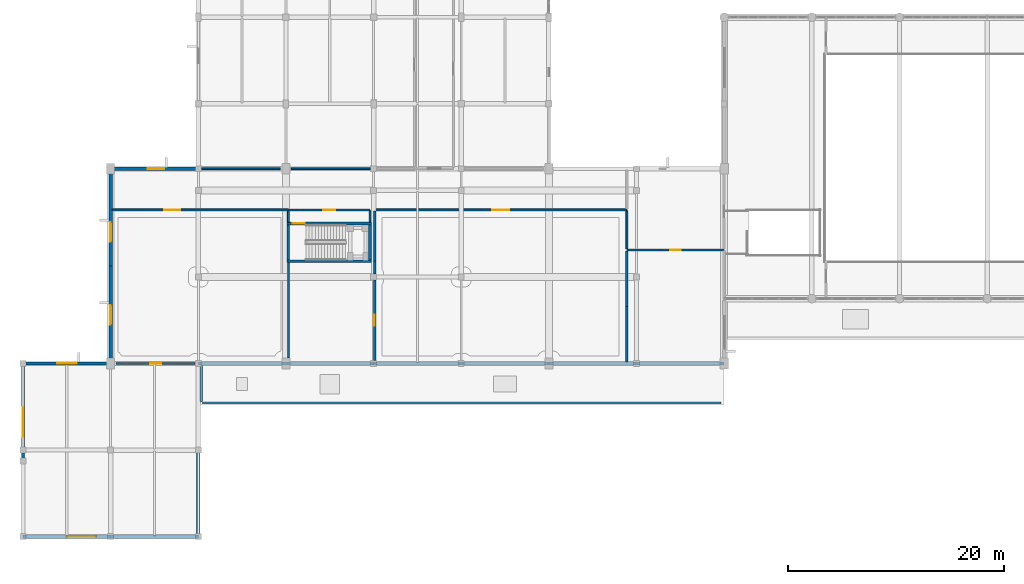
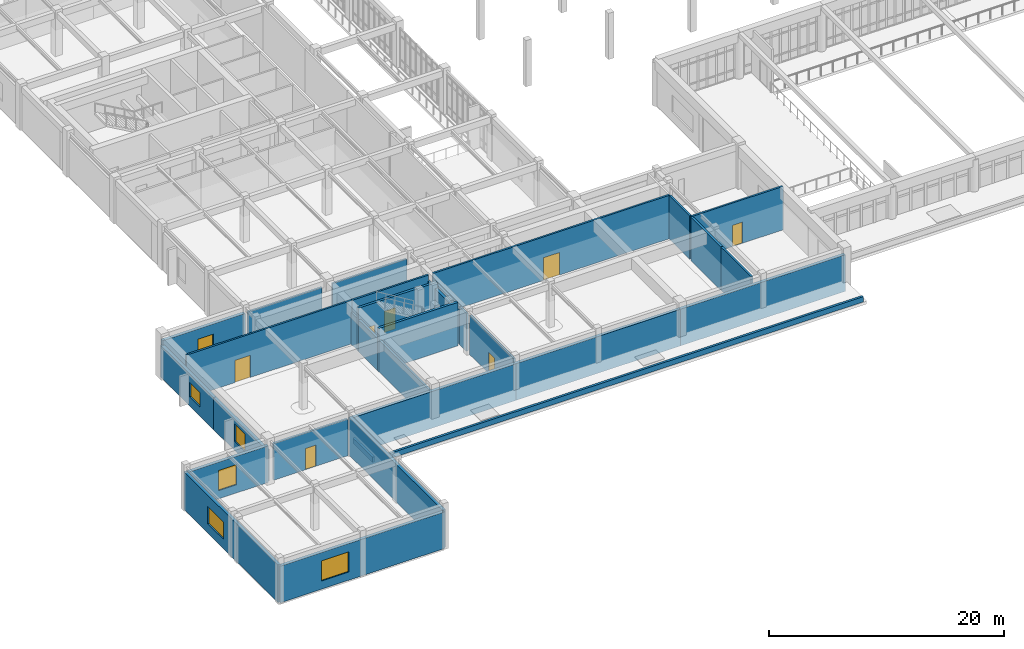
# One storey, part 42 of 61: 32 walls, 7 doors, 6 windows, 13 openings.
"""IFC4 building model written with IfcOpenShell, lengths in metres."""

from ifc_helpers import new_model, si_unit, direction, frame, frame_2d, origin, origin_with_axes, place, context, subcontext, project, spatial, rectangle, extrude, material, layer, layer_set, type_object, element, fill, save


model = new_model("IFC4")

# Units and contexts
model_context = context("Model", 3, precision=1e-05, world=origin(), true_north=direction((0.0, 1.0)))
body_context = subcontext(model_context, "Body", "Model", "MODEL_VIEW")
ifc_project = project(units=[si_unit("LENGTHUNIT", "METRE"), si_unit("AREAUNIT", "SQUARE_METRE"), si_unit("VOLUMEUNIT", "CUBIC_METRE"), si_unit("PLANEANGLEUNIT", "RADIAN"), si_unit("MASSUNIT", "GRAM", prefix="KILO")], contexts=[model_context])

# Site, building, storey
site_placement = place(None, origin())
site = spatial("IfcSite", under=ifc_project, at=site_placement, CompositionType="ELEMENT")
building_placement = place(site_placement, origin())
building = spatial("IfcBuilding", under=site, at=building_placement, Name="Tarnveldt Square Police Headquarters", CompositionType="ELEMENT")
storey_placement = place(building_placement, frame((0.0, 0.0, 5.39990234375)))
storey = spatial("IfcBuildingStorey", under=building, at=storey_placement, Name="L01", CompositionType="ELEMENT", Elevation=5.39990234375)

# Wall, opening, door
ifc_material_1 = material(Name="Fire-rated Type X gypsum board on steel studs", Category="steel")
ifc_layer_1 = layer(ifc_material_1, 0.199951171875)
ifc_layer_set_1 = layer_set([ifc_layer_1], Name="Fire-rated Type X gypsum board on steel studs")
wall_type_1 = type_object("IfcWallType", Name="WL-ACOUST-200", PredefinedType="PARTITIONING", material=ifc_layer_set_1)
wall_1_placement = place(storey_placement, frame((8.60791015625, 16.0, 0.0), z_axis=(0.0, 0.0, 1.0), x_axis=(1.0, 0.0, 0.0)))
wall_1 = element("IfcWall", 1, at=wall_1_placement, inside=storey, type_object=wall_type_1, Name="L01 Interior Partition Wall 0214", PredefinedType="PARTITIONING", context=body_context, shape_type="SweptSolid", body=[
    extrude(rectangle(XDim=7.30908203125, YDim=0.199951171875, at=frame_2d((3.654541015625, 0.0))), origin(), (0.0, 0.0, 1.0), 3.81201171875),
])
opening_1_placement = place(wall_1_placement, frame((3.154541015625, 0.0, 0.0)))
opening_1 = element("IfcOpeningElement", 2, at=opening_1_placement, cuts=wall_1, Name="Opening D05", PredefinedType="OPENING", context=body_context, shape_type="SweptSolid", body=[
    extrude(rectangle(XDim=1.0, YDim=2.199951171875, at=frame_2d((0.5, 1.10009765625))), frame((0.0, 0.10986328125, 0.0), z_axis=(0.0, -1.0, 0.0), x_axis=(1.0, 0.0, 0.0)), (0.0, 0.0, 1.0), 0.219970703125),
])
ifc_material_2 = material(Name="Solid core architectural birch door leaf", Category="wood")
door_type_1 = type_object("IfcDoorType", Name="DR-INT-1000", OperationType="NOTDEFINED", PredefinedType="DOOR", material=ifc_material_2)
door_1_placement = place(opening_1_placement, frame((1.0, 0.0, 0.0), z_axis=(0.0, 0.0, 1.0), x_axis=(-1.0, 0.0, 0.0)))
door_1 = element("IfcDoor", 3, at=door_1_placement, inside=storey, type_object=door_type_1, Name="Youth Outreach Workshop Studio Door", OperationType="SINGLE_SWING_LEFT", OverallHeight=2.199951171875, OverallWidth=1.0, PredefinedType="DOOR", context=body_context, shape_type="SweptSolid", body=[
    extrude(rectangle(XDim=1.0, YDim=2.199951171875, at=frame_2d((0.5, 1.10009765625))), frame((0.0, 0.02490234375, 0.0), z_axis=(0.0, -1.0, 0.0), x_axis=(1.0, 0.0, 0.0)), (0.0, 0.0, 1.0), 0.050048828125),
])
fill(opening_1, door_1)

# Wall
wall_2_placement = place(storey_placement, frame((24.530029296875, 16.508056640625, 0.0), z_axis=(0.0, 0.0, 1.0), x_axis=(0.0, 1.0, 0.0)))
element("IfcWall", 4, at=wall_2_placement, inside=storey, type_object=wall_type_1, Name="L01 Interior Partition Wall 0264", PredefinedType="PARTITIONING", context=body_context, shape_type="SweptSolid", body=[
    extrude(rectangle(XDim=8.823974609375, YDim=0.199951171875, at=frame_2d((4.412109375, 0.0))), origin(), (0.0, 0.0, 1.0), 3.31201171875),
])

# Wall, opening, door
wall_3_placement = place(storey_placement, frame((32.5, 16.282958984375, 0.0), z_axis=(0.0, 0.0, 1.0), x_axis=(0.0, 1.0, 0.0)))
wall_3 = element("IfcWall", 5, at=wall_3_placement, inside=storey, type_object=wall_type_1, Name="L01 Interior Partition Wall 0271", PredefinedType="PARTITIONING", context=body_context, shape_type="SweptSolid", body=[
    extrude(rectangle(XDim=7.43408203125, YDim=0.199951171875, at=frame_2d((3.717041015625, 0.0))), origin(), (0.0, 0.0, 1.0), 4.09521484375),
])
opening_2_placement = place(wall_3_placement, frame((3.217041015625, 0.0, 0.0)))
opening_2 = element("IfcOpeningElement", 6, at=opening_2_placement, cuts=wall_3, Name="Opening D05", PredefinedType="OPENING", context=body_context, shape_type="SweptSolid", body=[
    extrude(rectangle(XDim=1.0, YDim=2.199951171875, at=frame_2d((0.5, 1.10009765625))), frame((0.0, 0.10986328125, 0.0), z_axis=(0.0, -1.0, 0.0), x_axis=(1.0, 0.0, 0.0)), (0.0, 0.0, 1.0), 0.219970703125),
])
door_2_placement = place(opening_2_placement, origin())
door_2 = element("IfcDoor", 7, at=door_2_placement, inside=storey, type_object=door_type_1, Name="Broadcast Audio-Visual Control Room Door", OperationType="SINGLE_SWING_LEFT", OverallHeight=2.199951171875, OverallWidth=1.0, PredefinedType="DOOR", context=body_context, shape_type="SweptSolid", body=[
    extrude(rectangle(XDim=1.0, YDim=2.199951171875, at=frame_2d((0.5, 1.10009765625))), frame((0.0, 0.02490234375, 0.0), z_axis=(0.0, -1.0, 0.0), x_axis=(1.0, 0.0, 0.0)), (0.0, 0.0, 1.0), 0.050048828125),
])
fill(opening_2, door_2)

# Walls
wall_4_placement = place(storey_placement, frame((32.5, 24.282958984375, 0.0), z_axis=(0.0, 0.0, 1.0), x_axis=(0.0, 1.0, 0.0)))
element("IfcWall", 8, at=wall_4_placement, inside=storey, type_object=wall_type_1, Name="L01 Interior Partition Wall 0272", PredefinedType="PARTITIONING", context=body_context, shape_type="SweptSolid", body=[
    extrude(rectangle(XDim=1.177001953125, YDim=0.199951171875, at=frame_2d((0.58837890625, 0.0))), origin(), (0.0, 0.0, 1.0), 3.912109375),
])
wall_5_placement = place(storey_placement, frame((32.5, 25.4599609375, 0.0), z_axis=(0.0, 0.0, 1.0), x_axis=(0.0, 1.0, 0.0)))
element("IfcWall", 9, at=wall_5_placement, inside=storey, type_object=wall_type_1, Name="L01 Interior Partition Wall 0273", PredefinedType="PARTITIONING", context=body_context, shape_type="SweptSolid", body=[
    extrude(rectangle(XDim=4.64208984375, YDim=0.199951171875, at=frame_2d((2.321044921875, 0.0))), origin(), (0.0, 0.0, 1.0), 3.912109375),
])
for number, where, z_axis, x_axis, name in (
    (10, (55.800048828125, 16.157958984375, 0.0), (0.0, 0.0, 1.0), (0.0, 1.0, 0.0), "L01 Interior Partition Wall 0295"),
    (11, (55.800048828125, 21.280029296875, 0.0), (0.0, 0.0, 1.0), (0.0, 1.0, 0.0), "L01 Interior Partition Wall 0296"),
):
    element("IfcWall", number, at=place(storey_placement, frame(where, z_axis=z_axis, x_axis=x_axis)), inside=storey, type_object=wall_type_1, Name=name, PredefinedType="PARTITIONING", context=body_context, shape_type="SweptSolid", body=[
        extrude(rectangle(XDim=5.1220703125, YDim=0.199951171875, at=frame_2d((2.56103515625, 0.0))), origin(), (0.0, 0.0, 1.0), 4.52001953125),
    ])

# Wall, opening, window
ifc_material_3 = material(Name="Manganese ironspot clay brick masonry 20 MPa", Category="masonry")
ifc_layer_2 = layer(ifc_material_3, 0.300048828125)
ifc_layer_set_2 = layer_set([ifc_layer_2], Name="Manganese ironspot clay brick masonry 20 MPa")
wall_type_2 = type_object("IfcWallType", Name="WL-EXT-BRK300", PredefinedType="SOLIDWALL", material=ifc_layer_set_2)
wall_6_placement = place(storey_placement, frame((0.0, 16.0, 0.0), z_axis=(0.0, 0.0, 1.0), x_axis=(0.0, -1.0, 0.0)))
wall_6 = element("IfcWall", 12, at=wall_6_placement, inside=storey, type_object=wall_type_2, Name="L01 Brutalist Exterior Wall 0059", PredefinedType="SOLIDWALL", context=body_context, shape_type="SweptSolid", body=[
    extrude(rectangle(XDim=16.0, YDim=0.300048828125, at=frame_2d((8.0, 0.0))), origin(), (0.0, 0.0, 1.0), 3.912109375),
])
opening_3_placement = place(wall_6_placement, frame((4.050048828125, 0.0, 0.949951171875)))
opening_3 = element("IfcOpeningElement", 13, at=opening_3_placement, cuts=wall_6, Name="Opening W15", PredefinedType="OPENING", context=body_context, shape_type="SweptSolid", body=[
    extrude(rectangle(XDim=2.699951171875, YDim=1.800048828125, at=frame_2d((1.35009765625, 0.89990234375))), frame((0.0, 0.159912109375, 0.0), z_axis=(0.0, -1.0, 0.0), x_axis=(1.0, 0.0, 0.0)), (0.0, 0.0, 1.0), 0.320068359375),
])
ifc_material_4 = material(Name="Triple-glazed low-e laminated vision glass", Category="glass")
window_type_1 = type_object("IfcWindowType", Name="WIN-DR-270x180", PartitioningType="TRIPLE_PANEL_VERTICAL", PredefinedType="WINDOW", material=ifc_material_4)
window_1_placement = place(opening_3_placement, origin())
window_1 = element("IfcWindow", 14, at=window_1_placement, inside=storey, type_object=window_type_1, Name="L01 Deep-Reveal Brutalist Window 0015", OverallHeight=1.800048828125, OverallWidth=2.699951171875, PartitioningType="TRIPLE_PANEL_VERTICAL", PredefinedType="WINDOW", context=body_context, shape_type="SweptSolid", body=[
    extrude(rectangle(XDim=2.699951171875, YDim=1.800048828125, at=frame_2d((1.35009765625, 0.89990234375))), frame((0.0, 0.030029296875, 0.0), z_axis=(0.0, -1.0, 0.0), x_axis=(1.0, 0.0, 0.0)), (0.0, 0.0, 1.0), 0.06005859375),
])
fill(opening_3, window_1)

wall_7_placement = place(storey_placement, origin_with_axes())
wall_7 = element("IfcWall", 15, at=wall_7_placement, inside=storey, type_object=wall_type_2, Name="L01 Brutalist Exterior Wall 0060", PredefinedType="SOLIDWALL", context=body_context, shape_type="SweptSolid", body=[
    extrude(rectangle(XDim=16.199951171875, YDim=0.300048828125, at=frame_2d((8.10009765625, 0.0))), origin(), (0.0, 0.0, 1.0), 3.81201171875),
])
opening_4_placement = place(wall_7_placement, frame((4.050048828125, 0.0, 0.85009765625)))
opening_4 = element("IfcOpeningElement", 16, at=opening_4_placement, cuts=wall_7, Name="Opening W16", PredefinedType="OPENING", context=body_context, shape_type="SweptSolid", body=[
    extrude(rectangle(XDim=2.699951171875, YDim=2.10009765625, at=frame_2d((1.35009765625, 1.050048828125))), frame((0.0, 0.159912109375, 0.0), z_axis=(0.0, -1.0, 0.0), x_axis=(1.0, 0.0, 0.0)), (0.0, 0.0, 1.0), 0.320068359375),
])
window_type_2 = type_object("IfcWindowType", Name="WIN-DR-270x210", PartitioningType="TRIPLE_PANEL_VERTICAL", PredefinedType="WINDOW", material=ifc_material_4)
window_2_placement = place(opening_4_placement, origin())
window_2 = element("IfcWindow", 17, at=window_2_placement, inside=storey, type_object=window_type_2, Name="L01 Deep-Reveal Brutalist Window 0016", OverallHeight=2.10009765625, OverallWidth=2.699951171875, PartitioningType="TRIPLE_PANEL_VERTICAL", PredefinedType="WINDOW", context=body_context, shape_type="SweptSolid", body=[
    extrude(rectangle(XDim=2.699951171875, YDim=2.10009765625, at=frame_2d((1.35009765625, 1.050048828125))), frame((0.0, 0.030029296875, 0.0), z_axis=(0.0, -1.0, 0.0), x_axis=(1.0, 0.0, 0.0)), (0.0, 0.0, 1.0), 0.06005859375),
])
fill(opening_4, window_2)

# Walls
wall_8_placement = place(storey_placement, frame((16.199951171875, 0.0, 0.0), z_axis=(0.0, 0.0, 1.0), x_axis=(0.0, 1.0, 0.0)))
element("IfcWall", 18, at=wall_8_placement, inside=storey, type_object=wall_type_2, Name="L01 Brutalist Exterior Wall 0061", PredefinedType="SOLIDWALL", context=body_context, shape_type="SweptSolid", body=[
    extrude(rectangle(XDim=16.0, YDim=0.300048828125, at=frame_2d((8.0, 0.0))), origin(), (0.0, 0.0, 1.0), 3.912109375),
])
wall_9_placement = place(storey_placement, frame((16.199951171875, 16.0, 0.0), z_axis=(0.0, 0.0, 1.0), x_axis=(1.0, 0.0, 0.0)))
element("IfcWall", 19, at=wall_9_placement, inside=storey, type_object=wall_type_2, Name="L01 Brutalist Exterior Wall 0062", PredefinedType="SOLIDWALL", context=body_context, shape_type="SweptSolid", body=[
    extrude(rectangle(XDim=16.199951171875, YDim=0.300048828125, at=frame_2d((8.10009765625, 0.0))), origin(), (0.0, 0.0, 1.0), 3.81201171875),
])
wall_10_placement = place(storey_placement, frame((32.39990234375, 16.0, 0.0), z_axis=(0.0, 0.0, 1.0), x_axis=(1.0, 0.0, 0.0)))
element("IfcWall", 20, at=wall_10_placement, inside=storey, type_object=wall_type_2, Name="L01 Brutalist Exterior Wall 0063", PredefinedType="SOLIDWALL", context=body_context, shape_type="SweptSolid", body=[
    extrude(rectangle(XDim=16.2001953125, YDim=0.300048828125, at=frame_2d((8.10009765625, 0.0))), origin(), (0.0, 0.0, 1.0), 3.81201171875),
])
wall_11_placement = place(storey_placement, frame((48.60009765625, 16.0, 0.0), z_axis=(0.0, 0.0, 1.0), x_axis=(1.0, 0.0, 0.0)))
element("IfcWall", 21, at=wall_11_placement, inside=storey, type_object=wall_type_2, Name="L01 Brutalist Exterior Wall 0064", PredefinedType="SOLIDWALL", context=body_context, shape_type="SweptSolid", body=[
    extrude(rectangle(XDim=16.199951171875, YDim=0.300048828125, at=frame_2d((8.10009765625, 0.0))), origin(), (0.0, 0.0, 1.0), 3.81201171875),
])

# Wall, opening, window
wall_12_placement = place(storey_placement, frame((16.199951171875, 34.0, 0.0), z_axis=(0.0, 0.0, 1.0), x_axis=(-1.0, 0.0, 0.0)))
wall_12 = element("IfcWall", 22, at=wall_12_placement, inside=storey, type_object=wall_type_2, Name="L01 Brutalist Exterior Wall 0099", PredefinedType="SOLIDWALL", context=body_context, shape_type="SweptSolid", body=[
    extrude(rectangle(XDim=8.099853515625, YDim=0.300048828125, at=frame_2d((4.0498046875, 0.0))), origin(), (0.0, 0.0, 1.0), 3.81201171875),
])
opening_5_placement = place(wall_12_placement, frame((3.14990234375, 0.0, 0.949951171875)))
opening_5 = element("IfcOpeningElement", 23, at=opening_5_placement, cuts=wall_12, Name="Opening W07", PredefinedType="OPENING", context=body_context, shape_type="SweptSolid", body=[
    extrude(rectangle(XDim=1.5, YDim=1.800048828125, at=frame_2d((0.75, 0.89990234375))), frame((0.0, 0.159912109375, 0.0), z_axis=(0.0, -1.0, 0.0), x_axis=(1.0, 0.0, 0.0)), (0.0, 0.0, 1.0), 0.320068359375),
])
window_type_3 = type_object("IfcWindowType", Name="WIN-DR-150x180", PartitioningType="DOUBLE_PANEL_VERTICAL", PredefinedType="WINDOW", material=ifc_material_4)
window_3_placement = place(opening_5_placement, origin())
window_3 = element("IfcWindow", 24, at=window_3_placement, inside=storey, type_object=window_type_3, Name="L01 Deep-Reveal Brutalist Window 0031", OverallHeight=1.800048828125, OverallWidth=1.5, PartitioningType="DOUBLE_PANEL_VERTICAL", PredefinedType="WINDOW", context=body_context, shape_type="SweptSolid", body=[
    extrude(rectangle(XDim=1.5, YDim=1.800048828125, at=frame_2d((0.75, 0.89990234375))), frame((0.0, 0.030029296875, 0.0), z_axis=(0.0, -1.0, 0.0), x_axis=(1.0, 0.0, 0.0)), (0.0, 0.0, 1.0), 0.06005859375),
])
fill(opening_5, window_3)

wall_13_placement = place(storey_placement, frame((8.10009765625, 34.0, 0.0), z_axis=(0.0, 0.0, 1.0), x_axis=(0.0, -1.0, 0.0)))
wall_13 = element("IfcWall", 25, at=wall_13_placement, inside=storey, type_object=wall_type_2, Name="L01 Brutalist Exterior Wall 0100", PredefinedType="SOLIDWALL", context=body_context, shape_type="SweptSolid", body=[
    extrude(rectangle(XDim=9.0, YDim=0.300048828125, at=frame_2d((4.5, 0.0))), origin(), (0.0, 0.0, 1.0), 3.31201171875),
])
opening_6_placement = place(wall_13_placement, frame((4.949951171875, 0.0, 0.949951171875)))
opening_6 = element("IfcOpeningElement", 26, at=opening_6_placement, cuts=wall_13, Name="Opening W08", PredefinedType="OPENING", context=body_context, shape_type="SweptSolid", body=[
    extrude(rectangle(XDim=1.800048828125, YDim=1.5, at=frame_2d((0.89990234375, 0.75))), frame((0.0, 0.159912109375, 0.0), z_axis=(0.0, -1.0, 0.0), x_axis=(1.0, 0.0, 0.0)), (0.0, 0.0, 1.0), 0.320068359375),
])
window_type_4 = type_object("IfcWindowType", Name="WIN-DR-180x150", PartitioningType="DOUBLE_PANEL_VERTICAL", PredefinedType="WINDOW", material=ifc_material_4)
window_4_placement = place(opening_6_placement, origin())
window_4 = element("IfcWindow", 27, at=window_4_placement, inside=storey, type_object=window_type_4, Name="L01 Deep-Reveal Brutalist Window 0032", OverallHeight=1.5, OverallWidth=1.800048828125, PartitioningType="DOUBLE_PANEL_VERTICAL", PredefinedType="WINDOW", context=body_context, shape_type="SweptSolid", body=[
    extrude(rectangle(XDim=1.800048828125, YDim=1.5, at=frame_2d((0.89990234375, 0.75))), frame((0.0, 0.030029296875, 0.0), z_axis=(0.0, -1.0, 0.0), x_axis=(1.0, 0.0, 0.0)), (0.0, 0.0, 1.0), 0.06005859375),
])
fill(opening_6, window_4)

wall_14_placement = place(storey_placement, frame((8.10009765625, 25.0, 0.0), z_axis=(0.0, 0.0, 1.0), x_axis=(0.0, -1.0, 0.0)))
wall_14 = element("IfcWall", 28, at=wall_14_placement, inside=storey, type_object=wall_type_2, Name="L01 Brutalist Exterior Wall 0101", PredefinedType="SOLIDWALL", context=body_context, shape_type="SweptSolid", body=[
    extrude(rectangle(XDim=9.0, YDim=0.300048828125, at=frame_2d((4.5, 0.0))), origin(), (0.0, 0.0, 1.0), 3.31201171875),
])
opening_7_placement = place(wall_14_placement, frame((3.60009765625, 0.0, 0.949951171875)))
opening_7 = element("IfcOpeningElement", 29, at=opening_7_placement, cuts=wall_14, Name="Opening W09", PredefinedType="OPENING", context=body_context, shape_type="SweptSolid", body=[
    extrude(rectangle(XDim=1.800048828125, YDim=1.800048828125, at=frame_2d((0.89990234375, 0.89990234375))), frame((0.0, 0.159912109375, 0.0), z_axis=(0.0, -1.0, 0.0), x_axis=(1.0, 0.0, 0.0)), (0.0, 0.0, 1.0), 0.320068359375),
])
window_type_5 = type_object("IfcWindowType", Name="WIN-DR-180x180", PartitioningType="DOUBLE_PANEL_VERTICAL", PredefinedType="WINDOW", material=ifc_material_4)
window_5_placement = place(opening_7_placement, origin())
window_5 = element("IfcWindow", 30, at=window_5_placement, inside=storey, type_object=window_type_5, Name="L01 Deep-Reveal Brutalist Window 0033", OverallHeight=1.800048828125, OverallWidth=1.800048828125, PartitioningType="DOUBLE_PANEL_VERTICAL", PredefinedType="WINDOW", context=body_context, shape_type="SweptSolid", body=[
    extrude(rectangle(XDim=1.800048828125, YDim=1.800048828125, at=frame_2d((0.89990234375, 0.89990234375))), frame((0.0, 0.030029296875, 0.0), z_axis=(0.0, -1.0, 0.0), x_axis=(1.0, 0.0, 0.0)), (0.0, 0.0, 1.0), 0.06005859375),
])
fill(opening_7, window_5)

wall_15_placement = place(storey_placement, frame((8.10009765625, 16.0, 0.0), z_axis=(0.0, 0.0, 1.0), x_axis=(-1.0, 0.0, 0.0)))
wall_15 = element("IfcWall", 31, at=wall_15_placement, inside=storey, type_object=wall_type_2, Name="L01 Brutalist Exterior Wall 0102", PredefinedType="SOLIDWALL", context=body_context, shape_type="SweptSolid", body=[
    extrude(rectangle(XDim=8.10009765625, YDim=0.300048828125, at=frame_2d((4.050048828125, 0.0))), origin(), (0.0, 0.0, 1.0), 3.81201171875),
])
opening_8_placement = place(wall_15_placement, frame((3.14990234375, 0.0, 0.85009765625)))
opening_8 = element("IfcOpeningElement", 32, at=opening_8_placement, cuts=wall_15, Name="Opening W10", PredefinedType="OPENING", context=body_context, shape_type="SweptSolid", body=[
    extrude(rectangle(XDim=1.800048828125, YDim=2.10009765625, at=frame_2d((0.89990234375, 1.050048828125))), frame((0.0, 0.159912109375, 0.0), z_axis=(0.0, -1.0, 0.0), x_axis=(1.0, 0.0, 0.0)), (0.0, 0.0, 1.0), 0.320068359375),
])
window_type_6 = type_object("IfcWindowType", Name="WIN-DR-180x210", PartitioningType="DOUBLE_PANEL_VERTICAL", PredefinedType="WINDOW", material=ifc_material_4)
window_6_placement = place(opening_8_placement, origin())
window_6 = element("IfcWindow", 33, at=window_6_placement, inside=storey, type_object=window_type_6, Name="L01 Deep-Reveal Brutalist Window 0034", OverallHeight=2.10009765625, OverallWidth=1.800048828125, PartitioningType="DOUBLE_PANEL_VERTICAL", PredefinedType="WINDOW", context=body_context, shape_type="SweptSolid", body=[
    extrude(rectangle(XDim=1.800048828125, YDim=2.10009765625, at=frame_2d((0.89990234375, 1.050048828125))), frame((0.0, 0.030029296875, 0.0), z_axis=(0.0, -1.0, 0.0), x_axis=(1.0, 0.0, 0.0)), (0.0, 0.0, 1.0), 0.06005859375),
])
fill(opening_8, window_6)

# Wall, opening, door
ifc_layer_3 = layer(ifc_material_1, 0.179931640625)
ifc_layer_set_3 = layer_set([ifc_layer_3], Name="Fire-rated Type X gypsum board on steel studs")
wall_type_3 = type_object("IfcWallType", Name="WL-FIRE-180", PredefinedType="PARTITIONING", material=ifc_layer_set_3)
wall_16_placement = place(storey_placement, frame((8.258056640625, 30.199951171875, 0.0), z_axis=(0.0, 0.0, 1.0), x_axis=(1.0, 0.0, 0.0)))
wall_16 = element("IfcWall", 34, at=wall_16_placement, inside=storey, type_object=wall_type_3, Name="L01 Interior Partition Wall 0215", PredefinedType="PARTITIONING", context=body_context, shape_type="SweptSolid", body=[
    extrude(rectangle(XDim=16.27197265625, YDim=0.179931640625, at=frame_2d((8.135986328125, 0.0))), origin(), (0.0, 0.0, 1.0), 4.52001953125),
])
opening_9_placement = place(wall_16_placement, frame((4.782470703125, 0.0, 0.0)))
opening_9 = element("IfcOpeningElement", 35, at=opening_9_placement, cuts=wall_16, Name="Opening D22", PredefinedType="OPENING", context=body_context, shape_type="SweptSolid", body=[
    extrude(rectangle(XDim=1.5, YDim=2.300048828125, at=frame_2d((0.75, 1.14990234375))), frame((0.0, 0.099853515625, 0.0), z_axis=(0.0, -1.0, 0.0), x_axis=(1.0, 0.0, 0.0)), (0.0, 0.0, 1.0), 0.199951171875),
])
door_type_2 = type_object("IfcDoorType", Name="DR-PAIR-1500", OperationType="DOUBLE_DOOR_SINGLE_SWING", PredefinedType="DOOR", material=ifc_material_2)
door_3_placement = place(opening_9_placement, frame((1.5, 0.0, 0.0), z_axis=(0.0, 0.0, 1.0), x_axis=(-1.0, 0.0, 0.0)))
door_3 = element("IfcDoor", 36, at=door_3_placement, inside=storey, type_object=door_type_2, Name="Press Conference and Media Briefing Room Door", OperationType="DOUBLE_DOOR_SINGLE_SWING", OverallHeight=2.300048828125, OverallWidth=1.5, PredefinedType="DOOR", context=body_context, shape_type="SweptSolid", body=[
    extrude(rectangle(XDim=1.5, YDim=2.300048828125, at=frame_2d((0.75, 1.14990234375))), frame((0.0, 0.02490234375, 0.0), z_axis=(0.0, -1.0, 0.0), x_axis=(1.0, 0.0, 0.0)), (0.0, 0.0, 1.0), 0.050048828125),
])
fill(opening_9, door_3)

# Walls
wall_17_placement = place(storey_placement, frame((16.48291015625, 34.0, 0.0), z_axis=(0.0, 0.0, 1.0), x_axis=(1.0, 0.0, 0.0)))
element("IfcWall", 37, at=wall_17_placement, inside=storey, type_object=wall_type_3, Name="L01 Interior Partition Wall 0216", PredefinedType="PARTITIONING", context=body_context, shape_type="SweptSolid", body=[
    extrude(rectangle(XDim=7.30908203125, YDim=0.179931640625, at=frame_2d((3.654541015625, 0.0))), origin(), (0.0, 0.0, 1.0), 3.81201171875),
])
wall_18_placement = place(storey_placement, frame((24.80810546875, 34.0, 0.0), z_axis=(0.0, 0.0, 1.0), x_axis=(1.0, 0.0, 0.0)))
element("IfcWall", 38, at=wall_18_placement, inside=storey, type_object=wall_type_3, Name="L01 Interior Partition Wall 0217", PredefinedType="PARTITIONING", context=body_context, shape_type="SweptSolid", body=[
    extrude(rectangle(XDim=7.308837890625, YDim=0.179931640625, at=frame_2d((3.654296875, 0.0))), origin(), (0.0, 0.0, 1.0), 3.862060546875),
])

# Wall, opening, door
wall_19_placement = place(storey_placement, frame((24.530029296875, 30.199951171875, 0.0), z_axis=(0.0, 0.0, 1.0), x_axis=(1.0, 0.0, 0.0)))
wall_19 = element("IfcWall", 39, at=wall_19_placement, inside=storey, type_object=wall_type_3, Name="L01 Interior Partition Wall 0229", PredefinedType="PARTITIONING", context=body_context, shape_type="SweptSolid", body=[
    extrude(rectangle(XDim=7.5400390625, YDim=0.179931640625, at=frame_2d((3.77001953125, 0.0))), origin(), (0.0, 0.0, 1.0), 4.52001953125),
])
opening_10_placement = place(wall_19_placement, frame((3.219970703125, 0.0, 0.0)))
opening_10 = element("IfcOpeningElement", 40, at=opening_10_placement, cuts=wall_19, Name="Opening D15", PredefinedType="OPENING", context=body_context, shape_type="SweptSolid", body=[
    extrude(rectangle(XDim=1.10009765625, YDim=2.199951171875, at=frame_2d((0.550048828125, 1.10009765625))), frame((0.0, 0.099853515625, 0.0), z_axis=(0.0, -1.0, 0.0), x_axis=(1.0, 0.0, 0.0)), (0.0, 0.0, 1.0), 0.199951171875),
])
ifc_material_5 = material(Name="Insulated hollow metal steel door leaf", Category="steel")
door_type_3 = type_object("IfcDoorType", Name="DR-FD60-1100", OperationType="NOTDEFINED", PredefinedType="DOOR", material=ifc_material_5)
door_4_placement = place(opening_10_placement, origin())
door_4 = element("IfcDoor", 41, at=door_4_placement, inside=storey, type_object=door_type_3, Name="Exit Stair ST6 Vestibule L01 Door", OperationType="SINGLE_SWING_RIGHT", OverallHeight=2.199951171875, OverallWidth=1.10009765625, PredefinedType="DOOR", context=body_context, shape_type="SweptSolid", body=[
    extrude(rectangle(XDim=1.10009765625, YDim=2.199951171875, at=frame_2d((0.550048828125, 1.10009765625))), frame((0.0, 0.02490234375, 0.0), z_axis=(0.0, -1.0, 0.0), x_axis=(1.0, 0.0, 0.0)), (0.0, 0.0, 1.0), 0.050048828125),
])
fill(opening_10, door_4)

wall_20_placement = place(storey_placement, frame((32.5, 30.199951171875, 0.0), z_axis=(0.0, 0.0, 1.0), x_axis=(1.0, 0.0, 0.0)))
wall_20 = element("IfcWall", 42, at=wall_20_placement, inside=storey, type_object=wall_type_3, Name="L01 Interior Partition Wall 0238", PredefinedType="PARTITIONING", context=body_context, shape_type="SweptSolid", body=[
    extrude(rectangle(XDim=23.300048828125, YDim=0.179931640625, at=frame_2d((11.64990234375, 0.0))), origin(), (0.0, 0.0, 1.0), 4.52001953125),
])
opening_11_placement = place(wall_20_placement, frame((10.85009765625, 0.0, 0.0)))
opening_11 = element("IfcOpeningElement", 43, at=opening_11_placement, cuts=wall_20, Name="Opening D23", PredefinedType="OPENING", context=body_context, shape_type="SweptSolid", body=[
    extrude(rectangle(XDim=1.60009765625, YDim=2.35009765625, at=frame_2d((0.800048828125, 1.175048828125))), frame((0.0, 0.099853515625, 0.0), z_axis=(0.0, -1.0, 0.0), x_axis=(1.0, 0.0, 0.0)), (0.0, 0.0, 1.0), 0.199951171875),
])
door_type_4 = type_object("IfcDoorType", Name="DR-PAIR-1600", OperationType="DOUBLE_DOOR_SINGLE_SWING", PredefinedType="DOOR", material=ifc_material_2)
door_5_placement = place(opening_11_placement, frame((1.60009765625, 0.0, 0.0), z_axis=(0.0, 0.0, 1.0), x_axis=(-1.0, 0.0, 0.0)))
door_5 = element("IfcDoor", 44, at=door_5_placement, inside=storey, type_object=door_type_4, Name="Community Briefing and Assembly Room Door", OperationType="DOUBLE_DOOR_SINGLE_SWING", OverallHeight=2.35009765625, OverallWidth=1.60009765625, PredefinedType="DOOR", context=body_context, shape_type="SweptSolid", body=[
    extrude(rectangle(XDim=1.60009765625, YDim=2.35009765625, at=frame_2d((0.800048828125, 1.175048828125))), frame((0.0, 0.02490234375, 0.0), z_axis=(0.0, -1.0, 0.0), x_axis=(1.0, 0.0, 0.0)), (0.0, 0.0, 1.0), 0.050048828125),
])
fill(opening_11, door_5)

wall_21_placement = place(storey_placement, frame((55.800048828125, 26.5, 0.0), z_axis=(0.0, 0.0, 1.0), x_axis=(1.0, 0.0, 0.0)))
wall_21 = element("IfcWall", 45, at=wall_21_placement, inside=storey, type_object=wall_type_3, Name="L01 Interior Partition Wall 0247", PredefinedType="PARTITIONING", context=body_context, shape_type="SweptSolid", body=[
    extrude(rectangle(XDim=9.0, YDim=0.179931640625, at=frame_2d((4.5, 0.0))), origin(), (0.0, 0.0, 1.0), 4.52001953125),
])
opening_12_placement = place(wall_21_placement, frame((4.0, 0.0, 0.0)))
opening_12 = element("IfcOpeningElement", 46, at=opening_12_placement, cuts=wall_21, Name="Opening D05", PredefinedType="OPENING", context=body_context, shape_type="SweptSolid", body=[
    extrude(rectangle(XDim=1.0, YDim=2.199951171875, at=frame_2d((0.5, 1.10009765625))), frame((0.0, 0.099853515625, 0.0), z_axis=(0.0, -1.0, 0.0), x_axis=(1.0, 0.0, 0.0)), (0.0, 0.0, 1.0), 0.199951171875),
])
door_6_placement = place(opening_12_placement, frame((1.0, 0.0, 0.0), z_axis=(0.0, 0.0, 1.0), x_axis=(-1.0, 0.0, 0.0)))
door_6 = element("IfcDoor", 47, at=door_6_placement, inside=storey, type_object=door_type_1, Name="Community Assembly Support Room Door", OperationType="SINGLE_SWING_LEFT", OverallHeight=2.199951171875, OverallWidth=1.0, PredefinedType="DOOR", context=body_context, shape_type="SweptSolid", body=[
    extrude(rectangle(XDim=1.0, YDim=2.199951171875, at=frame_2d((0.5, 1.10009765625))), frame((0.0, 0.02490234375, 0.0), z_axis=(0.0, -1.0, 0.0), x_axis=(1.0, 0.0, 0.0)), (0.0, 0.0, 1.0), 0.050048828125),
])
fill(opening_12, door_6)

# Walls
wall_22_placement = place(storey_placement, frame((24.530029296875, 29.068115234375, 0.0), z_axis=(0.0, 0.0, 1.0), x_axis=(0.0, 1.0, 0.0)))
element("IfcWall", 48, at=wall_22_placement, inside=storey, type_object=wall_type_3, Name="L01 Interior Partition Wall 0265", PredefinedType="PARTITIONING", context=body_context, shape_type="SweptSolid", body=[
    extrude(rectangle(XDim=1.033935546875, YDim=0.179931640625, at=frame_2d((0.51708984375, 0.0))), origin(), (0.0, 0.0, 1.0), 3.31201171875),
])
wall_23_placement = place(storey_placement, frame((32.070068359375, 29.068115234375, 0.0), z_axis=(0.0, 0.0, 1.0), x_axis=(0.0, 1.0, 0.0)))
element("IfcWall", 49, at=wall_23_placement, inside=storey, type_object=wall_type_3, Name="L01 Interior Partition Wall 0270", PredefinedType="PARTITIONING", context=body_context, shape_type="SweptSolid", body=[
    extrude(rectangle(XDim=1.033935546875, YDim=0.179931640625, at=frame_2d((0.51708984375, 0.0))), origin(), (0.0, 0.0, 1.0), 3.912109375),
])
wall_24_placement = place(storey_placement, frame((55.800048828125, 26.597900390625, 0.0), z_axis=(0.0, 0.0, 1.0), x_axis=(0.0, 1.0, 0.0)))
element("IfcWall", 50, at=wall_24_placement, inside=storey, type_object=wall_type_3, Name="L01 Interior Partition Wall 0297", PredefinedType="PARTITIONING", context=body_context, shape_type="SweptSolid", body=[
    extrude(rectangle(XDim=3.504150390625, YDim=0.179931640625, at=frame_2d((1.751953125, 0.0))), origin(), (0.0, 0.0, 1.0), 4.52001953125),
])
ifc_material_6 = material(Name="Concrete block masonry 15 MPa", Category="masonry")
ifc_layer_4 = layer(ifc_material_6, 0.239990234375)
ifc_layer_set_4 = layer_set([ifc_layer_4], Name="Concrete block masonry 15 MPa")
wall_type_4 = type_object("IfcWallType", Name="WL-FIRE-240", PredefinedType="PARTITIONING", material=ifc_layer_set_4)
wall_25_placement = place(storey_placement, frame((24.409912109375, 25.4599609375, 0.0), z_axis=(0.0, 0.0, 1.0), x_axis=(1.0, 0.0, 0.0)))
element("IfcWall", 51, at=wall_25_placement, inside=storey, type_object=wall_type_4, Name="Exit Stair ST6 L01 S Enclosure Wall", PredefinedType="PARTITIONING", context=body_context, shape_type="SweptSolid", body=[
    extrude(rectangle(XDim=7.780029296875, YDim=0.239990234375, at=frame_2d((3.89013671875, 0.0))), origin(), (0.0, 0.0, 1.0), 4.52001953125),
])

# Wall, opening, door
wall_26_placement = place(storey_placement, frame((24.409912109375, 28.93994140625, 0.0), z_axis=(0.0, 0.0, 1.0), x_axis=(1.0, 0.0, 0.0)))
wall_26 = element("IfcWall", 52, at=wall_26_placement, inside=storey, type_object=wall_type_4, Name="Exit Stair ST6 L01 N Enclosure Wall", PredefinedType="PARTITIONING", context=body_context, shape_type="SweptSolid", body=[
    extrude(rectangle(XDim=7.780029296875, YDim=0.239990234375, at=frame_2d((3.89013671875, 0.0))), origin(), (0.0, 0.0, 1.0), 4.52001953125),
])
opening_13_placement = place(wall_26_placement, frame((0.5400390625, 0.0, 0.0)))
opening_13 = element("IfcOpeningElement", 53, at=opening_13_placement, cuts=wall_26, Name="Opening D-ST6-L01", PredefinedType="OPENING", context=body_context, shape_type="SweptSolid", body=[
    extrude(rectangle(XDim=1.10009765625, YDim=2.199951171875, at=frame_2d((0.550048828125, 1.10009765625))), frame((0.0, 0.1298828125, 0.0), z_axis=(0.0, -1.0, 0.0), x_axis=(1.0, 0.0, 0.0)), (0.0, 0.0, 1.0), 0.260009765625),
])
door_type_5 = type_object("IfcDoorType", Name="DR-FD90-1100", OperationType="NOTDEFINED", PredefinedType="DOOR", material=ifc_material_5)
door_7_placement = place(opening_13_placement, frame((1.10009765625, 0.0, 0.0), z_axis=(0.0, 0.0, 1.0), x_axis=(-1.0, 0.0, 0.0)))
door_7 = element("IfcDoor", 54, at=door_7_placement, inside=storey, type_object=door_type_5, Name="Exit Stair ST6 L01 Fire Door", OperationType="SINGLE_SWING_LEFT", OverallHeight=2.199951171875, OverallWidth=1.10009765625, PredefinedType="DOOR", context=body_context, shape_type="SweptSolid", body=[
    extrude(rectangle(XDim=1.10009765625, YDim=2.199951171875, at=frame_2d((0.550048828125, 1.10009765625))), frame((0.0, 0.02490234375, 0.0), z_axis=(0.0, -1.0, 0.0), x_axis=(1.0, 0.0, 0.0)), (0.0, 0.0, 1.0), 0.050048828125),
])
fill(opening_13, door_7)

# Walls
wall_27_placement = place(storey_placement, frame((24.530029296875, 25.590087890625, 0.0), z_axis=(0.0, 0.0, 1.0), x_axis=(0.0, 1.0, 0.0)))
element("IfcWall", 55, at=wall_27_placement, inside=storey, type_object=wall_type_4, Name="Exit Stair ST6 L01 W Enclosure Wall", PredefinedType="PARTITIONING", context=body_context, shape_type="SweptSolid", body=[
    extrude(rectangle(XDim=3.219970703125, YDim=0.239990234375, at=frame_2d((1.60986328125, 0.0))), origin(), (0.0, 0.0, 1.0), 3.31201171875),
])
wall_28_placement = place(storey_placement, frame((32.070068359375, 25.590087890625, 0.0), z_axis=(0.0, 0.0, 1.0), x_axis=(0.0, 1.0, 0.0)))
element("IfcWall", 56, at=wall_28_placement, inside=storey, type_object=wall_type_4, Name="Exit Stair ST6 L01 E Enclosure Wall", PredefinedType="PARTITIONING", context=body_context, shape_type="SweptSolid", body=[
    extrude(rectangle(XDim=3.219970703125, YDim=0.239990234375, at=frame_2d((1.60986328125, 0.0))), origin(), (0.0, 0.0, 1.0), 3.912109375),
])
ifc_material_7 = material(Name="Precast concrete 35 MPa", Category="concrete")
ifc_layer_5 = layer(ifc_material_7, 0.219970703125)
ifc_layer_set_5 = layer_set([ifc_layer_5], Name="Precast concrete 35 MPa")
wall_type_5 = type_object("IfcWallType", Name="WL-PAR-220", PredefinedType="PARAPET", material=ifc_layer_set_5)
wall_29_placement = place(storey_placement, frame((16.60009765625, 12.35009765625, 1.2001953125), z_axis=(0.0, 0.0, 1.0), x_axis=(1.0, 0.0, 0.0)))
element("IfcWall", 57, at=wall_29_placement, inside=storey, type_object=wall_type_5, Name="Colonnade Precast Upstand Parapet PAR-CND-SW", PredefinedType="PARAPET", context=body_context, shape_type="SweptSolid", body=[
    extrude(rectangle(XDim=47.89990234375, YDim=0.219970703125, at=frame_2d((23.949951171875, 0.0))), origin(), (0.0, 0.0, 1.0), 0.5498046875),
])
wall_30_placement = place(storey_placement, frame((16.469970703125, 12.47998046875, 1.2001953125), z_axis=(0.0, 0.0, 1.0), x_axis=(0.0, 1.0, 0.0)))
element("IfcWall", 58, at=wall_30_placement, inside=storey, type_object=wall_type_5, Name="Colonnade Precast Upstand Parapet PAR-CND-WEND", PredefinedType="PARAPET", context=body_context, shape_type="SweptSolid", body=[
    extrude(rectangle(XDim=3.320068359375, YDim=0.219970703125, at=frame_2d((1.66015625, 0.0))), origin(), (0.0, 0.0, 1.0), 0.5498046875),
])

save(model, "model.ifc")
